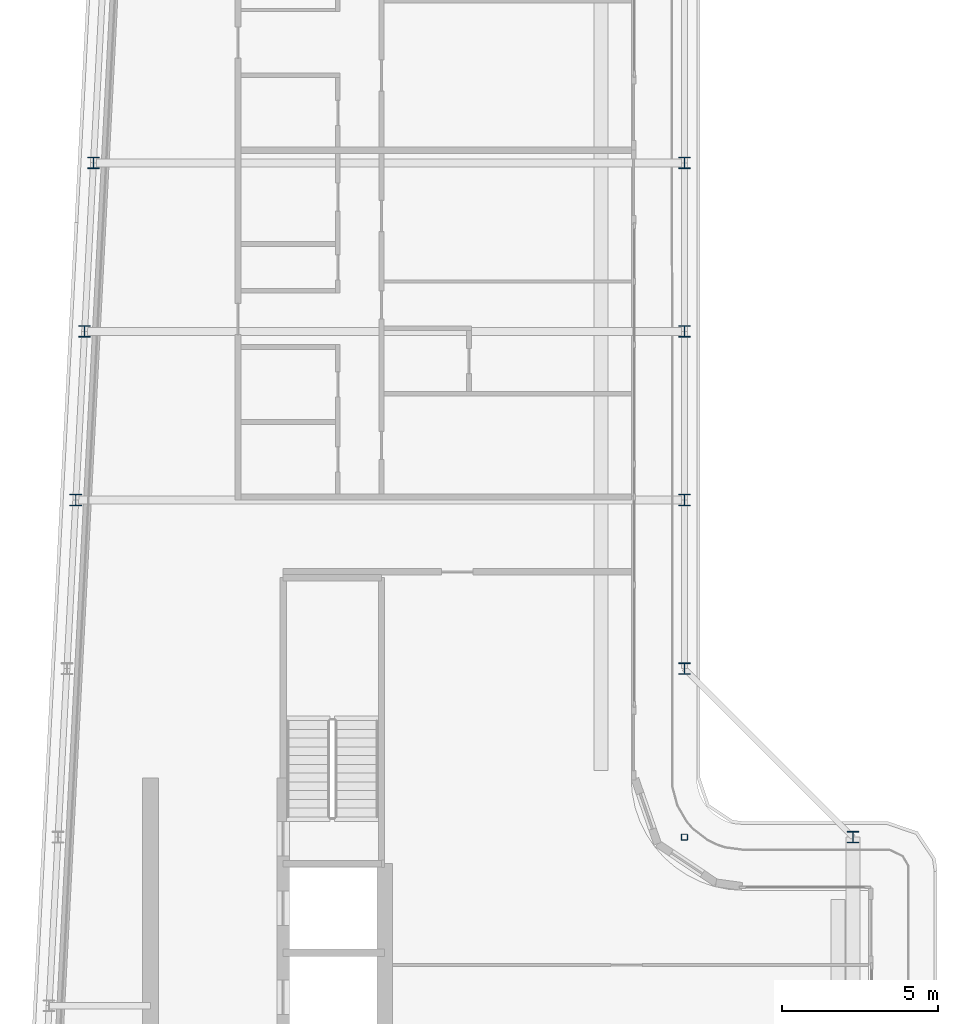
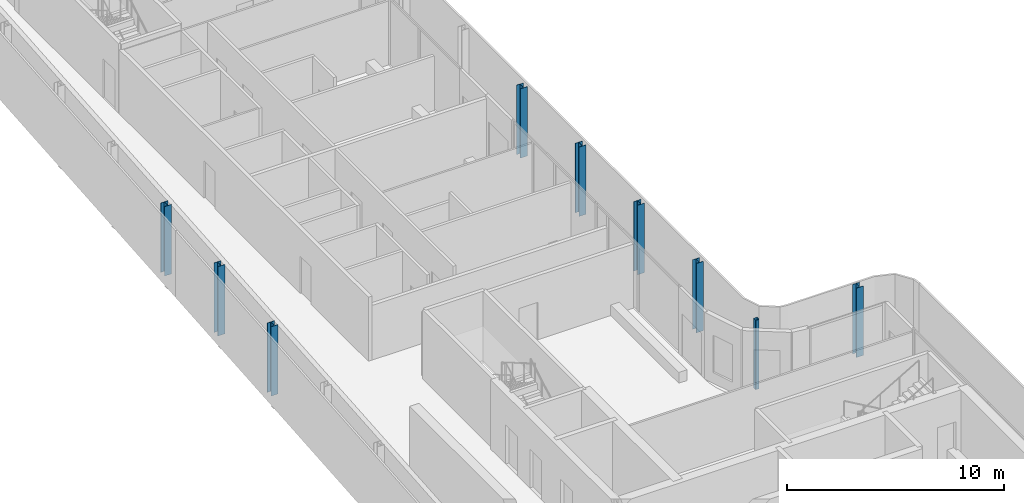
# One storey, part 2 of 18: 9 columns.
"""IFC4 building model written with IfcOpenShell, lengths in metres."""

from ifc_helpers import new_model, si_unit, direction, frame, origin, origin_2d, place, context, subcontext, project, spatial, hollow_rectangle, i_section, extrude, material, material_profile, profile_set, type_object, element, save


model = new_model("IFC4")

# Units and contexts
model_context = context("Model", 3, precision=1e-05, world=origin(), true_north=direction((0.0, 1.0)))
body_context = subcontext(model_context, "Body", "Model", "MODEL_VIEW")
ifc_project = project(units=[si_unit("LENGTHUNIT", "METRE"), si_unit("AREAUNIT", "SQUARE_METRE"), si_unit("VOLUMEUNIT", "CUBIC_METRE"), si_unit("PLANEANGLEUNIT", "RADIAN"), si_unit("MASSUNIT", "GRAM", prefix="KILO")], contexts=[model_context])

# Site, building, storey
site_placement = place(None, origin())
site = spatial("IfcSite", under=ifc_project, at=site_placement, CompositionType="ELEMENT")
building_placement = place(site_placement, origin())
building = spatial("IfcBuilding", under=site, at=building_placement, Name="Kheshtan School and Residences Tower", CompositionType="ELEMENT")
storey_placement = place(building_placement, frame((0.0, 0.0, 377.300048828125)))
storey = spatial("IfcBuildingStorey", under=building, at=storey_placement, Name="L89", CompositionType="ELEMENT", Elevation=377.300048828125)

# Columns
ifc_material_1 = material(Name="Steel ASTM A992 Grade 50", Category="steel")
ifc_material_profile_1 = material_profile(ifc_material_1, i_section(OverallWidth=0.37109375, OverallDepth=0.364013671875, WebThickness=0.01318359375, FlangeThickness=0.021728515625, FilletRadius=0.010986328125, at=origin_2d()), Name="W360x162")
ifc_profile_set_1 = profile_set([ifc_material_profile_1], Name="Steel ASTM A992 Grade 50")
column_type_1 = type_object("IfcColumnType", Name="Column C6 W360x162 ASTM A992 Grade 50", PredefinedType="COLUMN", material=ifc_profile_set_1)
for number, where, z_axis, x_axis, name in (
    (1, (53.0, 45.60009765625, 0.0), (0.0, 0.0, 1.0), (1.0, 0.0, 0.0), "Column C061"),
    (2, (47.60009765625, 51.0, 0.0), (0.0, 0.0, 1.0), (1.0, 0.0, 0.0), "Column C079"),
    (3, (28.10595703125, 56.39990234375, 0.0), (0.0, 0.0, 1.0), (1.0, 0.0, 0.0), "Column C080"),
    (4, (47.60009765625, 56.39990234375, 0.0), (0.0, 0.0, 1.0), (1.0, 0.0, 0.0), "Column C081"),
    (5, (28.389892578125, 61.800048828125, 0.0), (0.0, 0.0, 1.0), (1.0, 0.0, 0.0), "Column C082"),
    (6, (47.60009765625, 61.800048828125, 0.0), (0.0, 0.0, 1.0), (1.0, 0.0, 0.0), "Column C083"),
    (7, (28.674072265625, 67.199951171875, 0.0), (0.0, 0.0, 1.0), (1.0, 0.0, 0.0), "Column C084"),
    (8, (47.60009765625, 67.199951171875, 0.0), (0.0, 0.0, 1.0), (1.0, 0.0, 0.0), "Column C085"),
):
    element("IfcColumn", number, at=place(storey_placement, frame(where, z_axis=z_axis, x_axis=x_axis)), inside=storey, type_object=column_type_1, Name=name, PredefinedType="COLUMN", context=body_context, shape_type="SweptSolid", body=[
        extrude(i_section(OverallWidth=0.37109375, OverallDepth=0.364013671875, WebThickness=0.01318359375, FlangeThickness=0.021728515625, FilletRadius=0.010986328125, at=origin_2d()), origin(), (0.0, 0.0, 1.0), 3.89990234375),
    ])
ifc_material_2 = material(Name="Steel ASTM A500 Grade C", Category="steel")
ifc_material_profile_2 = material_profile(ifc_material_2, hollow_rectangle(XDim=0.202880859375, YDim=0.202880859375, WallThickness=0.0126953125, InnerFilletRadius=0.0126953125, OuterFilletRadius=0.025390625, at=origin_2d()), Name="HSS 203x203x12.7")
ifc_profile_set_2 = profile_set([ifc_material_profile_2], Name="Steel ASTM A500 Grade C")
column_type_2 = type_object("IfcColumnType", Name="Column IC4 HSS 203x203x12.7 ASTM A500 Grade C", PredefinedType="COLUMN", material=ifc_profile_set_2)
column_placement = place(storey_placement, frame((47.60009765625, 45.60009765625, 0.0), z_axis=(0.0, 0.0, 1.0), x_axis=(1.0, 0.0, 0.0)))
element("IfcColumn", 9, at=column_placement, inside=storey, type_object=column_type_2, Name="Column C060", PredefinedType="COLUMN", context=body_context, shape_type="SweptSolid", body=[
    extrude(hollow_rectangle(XDim=0.202880859375, YDim=0.202880859375, WallThickness=0.0126953125, InnerFilletRadius=0.0126953125, OuterFilletRadius=0.025390625, at=origin_2d()), origin(), (0.0, 0.0, 1.0), 3.89990234375),
])

save(model, "model.ifc")
